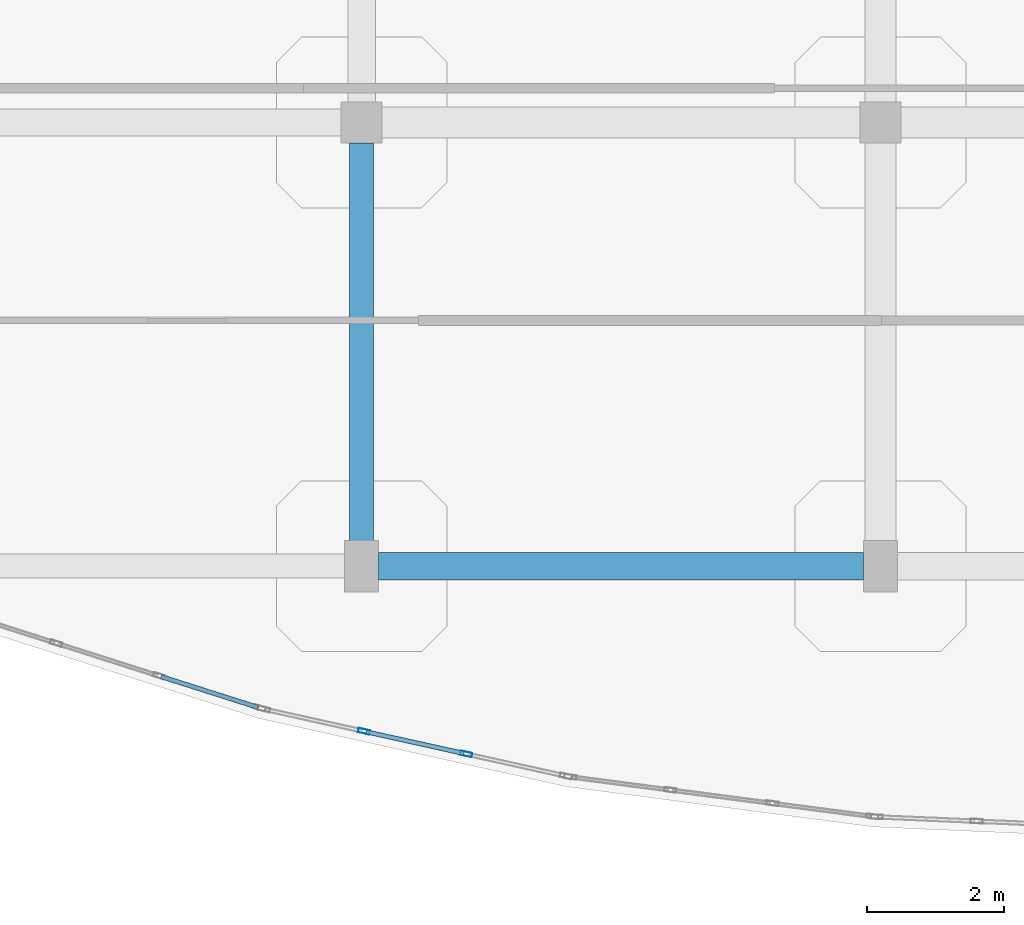
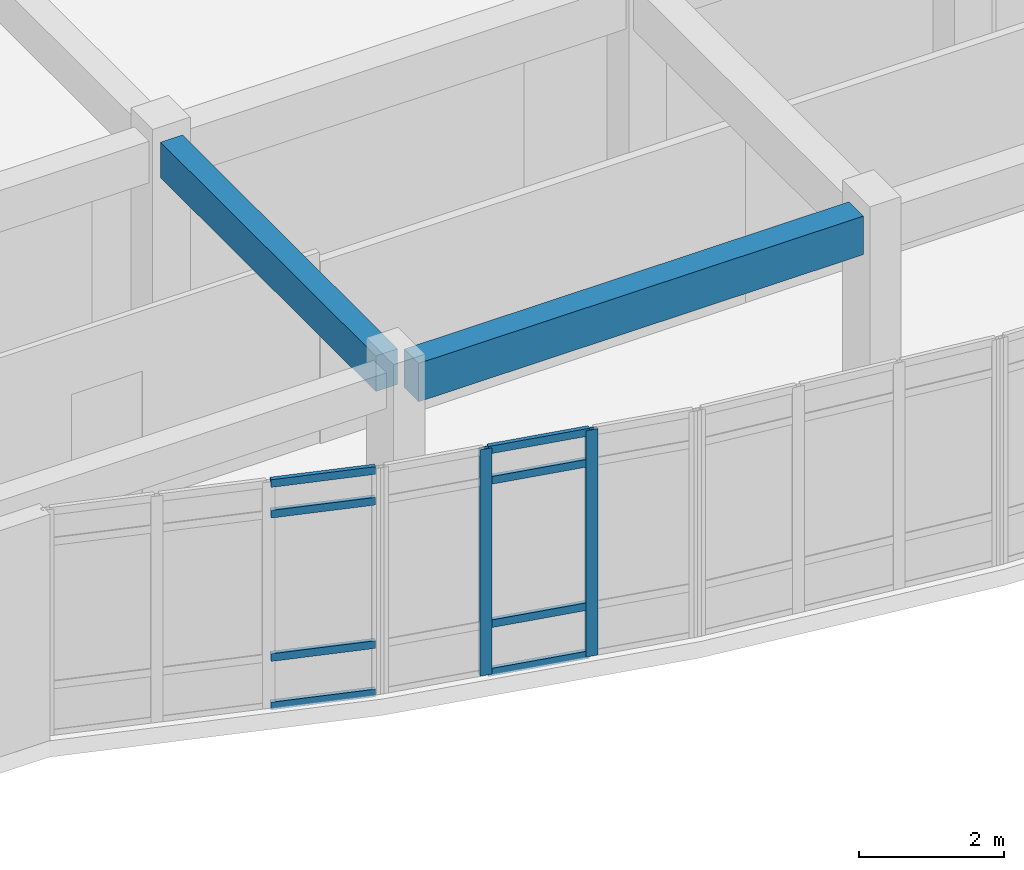
# One storey, part 89 of 146: 10 members, 2 beams, 2 elements without a shape of their own.
"""IFC4 building model written with IfcOpenShell, lengths in metres."""

from ifc_helpers import new_model, si_unit, direction, frame, origin, origin_2d, place, context, subcontext, project, spatial, rectangle, hollow_rectangle, extrude, material, layer, layer_set, material_profile, profile_set, type_object, element, aggregate, save


model = new_model("IFC4")

# Units and contexts
model_context = context("Model", 3, precision=1e-05, world=origin(), true_north=direction((0.0, 1.0)))
body_context = subcontext(model_context, "Body", "Model", "MODEL_VIEW")
ifc_project = project(units=[si_unit("LENGTHUNIT", "METRE"), si_unit("AREAUNIT", "SQUARE_METRE"), si_unit("VOLUMEUNIT", "CUBIC_METRE"), si_unit("PLANEANGLEUNIT", "RADIAN"), si_unit("MASSUNIT", "GRAM", prefix="KILO")], contexts=[model_context])

# Site, building, storey
site_placement = place(None, origin())
site = spatial("IfcSite", under=ifc_project, at=site_placement, CompositionType="ELEMENT")
building_placement = place(site_placement, origin())
building = spatial("IfcBuilding", under=site, at=building_placement, Name="Valcora Specialist Clinic", CompositionType="ELEMENT")
storey_placement = place(building_placement, frame((0.0, 0.0, 9.52001953125)))
storey = spatial("IfcBuildingStorey", under=building, at=storey_placement, Name="L02", CompositionType="ELEMENT", Elevation=9.52001953125)

# Beams
ifc_material_1 = material(Name="Concrete C40/50", Category="concrete")
ifc_material_profile_1 = material_profile(ifc_material_1, rectangle(XDim=0.35009765625, YDim=0.60009765625, at=origin_2d()), Name="RC-BM-350X600")
ifc_profile_set_1 = profile_set([ifc_material_profile_1], Name="Concrete C40/50")
beam_type_1 = type_object("IfcBeamType", Name="TY-BM-RC350X600", PredefinedType="BEAM", material=ifc_profile_set_1)
beam_1_placement = place(storey_placement, frame((98.39990234375, 75.050048828125, 3.52001953125), z_axis=(0.0, 1.0, 0.0), x_axis=(-1.0, 0.0, 0.0)))
element("IfcBeam", 1, at=beam_1_placement, inside=storey, type_object=beam_type_1, Name="Beam BM-L02-0750", PredefinedType="BEAM", context=body_context, shape_type="SweptSolid", body=[
    extrude(rectangle(XDim=0.35009765625, YDim=0.60009765625, at=origin_2d()), origin(), (0.0, 0.0, 1.0), 5.949951171875),
])
ifc_material_profile_2 = material_profile(ifc_material_1, rectangle(XDim=0.39990234375, YDim=0.64990234375, at=origin_2d()), Name="RC-BM-400X650")
ifc_profile_set_2 = profile_set([ifc_material_profile_2], Name="Concrete C40/50")
beam_type_2 = type_object("IfcBeamType", Name="TY-BM-RC400X650", PredefinedType="BEAM", material=ifc_profile_set_2)
beam_2_placement = place(storey_placement, frame((98.64990234375, 74.800048828125, 3.494873046875), z_axis=(1.0, 0.0, 0.0), x_axis=(0.0, 1.0, 0.0)))
element("IfcBeam", 2, at=beam_2_placement, inside=storey, type_object=beam_type_2, Name="Beam BM-L02-0699", PredefinedType="BEAM", context=body_context, shape_type="SweptSolid", body=[
    extrude(rectangle(XDim=0.39990234375, YDim=0.64990234375, at=origin_2d()), origin(), (0.0, 0.0, 1.0), 7.10009765625),
])

# Curtain wall, members
ifc_material_2 = material(Name="Anodized Bronze Aluminium 6063-T6", Category="aluminium")
ifc_layer = layer(ifc_material_2, 0.175048828125)
ifc_layer_set = layer_set([ifc_layer], Name="Anodized Bronze Aluminium 6063-T6")
curtain_wall_type = type_object("IfcCurtainWallType", Name="TY-CW-ARC40", PredefinedType="NOTDEFINED", material=ifc_layer_set)
curtain_wall_1_placement = place(storey_placement, origin())
curtain_wall_1 = element("IfcCurtainWall", 3, at=curtain_wall_1_placement, inside=storey, type_object=curtain_wall_type, Name="Curtain wall CW-L02-091", PredefinedType="NOTDEFINED")
ifc_material_profile_3 = material_profile(ifc_material_2, hollow_rectangle(XDim=0.06494140625, YDim=0.175048828125, WallThickness=0.00390625, at=origin_2d()), Name="AL-MUL-65X175")
ifc_profile_set_3 = profile_set([ifc_material_profile_3], Name="Anodized Bronze Aluminium 6063-T6")
member_type_1 = type_object("IfcMemberType", Name="TY-CWM-65X175", PredefinedType="MULLION", material=ifc_profile_set_3)
member_1_placement = place(storey_placement, frame((99.930419921875, 72.049560546875, 0.0), z_axis=(0.0, 0.0, 1.0), x_axis=(-0.216518052372, -0.976278614432, 0.0)))
member_1 = element("IfcMember", 4, at=member_1_placement, type_object=member_type_1, Name="CW-ARC-40 mullion 2", PredefinedType="MULLION", context=body_context, shape_type="SweptSolid", body=[
    extrude(hollow_rectangle(XDim=0.06494140625, YDim=0.175048828125, WallThickness=0.00390625, at=origin_2d()), origin(), (0.0, 0.0, 1.0), 3.820068359375),
])
member_2_placement = place(storey_placement, frame((98.434814453125, 72.38134765625, 0.0), z_axis=(0.0, 0.0, 1.0), x_axis=(-0.216518052372, -0.976278614432, 0.0)))
member_2 = element("IfcMember", 5, at=member_2_placement, type_object=member_type_1, Name="CW-ARC-40 mullion 3", PredefinedType="MULLION", context=body_context, shape_type="SweptSolid", body=[
    extrude(hollow_rectangle(XDim=0.06494140625, YDim=0.175048828125, WallThickness=0.00390625, at=origin_2d()), origin(), (0.0, 0.0, 1.0), 3.820068359375),
])
ifc_material_profile_4 = material_profile(ifc_material_2, hollow_rectangle(XDim=0.06494140625, YDim=0.1298828125, WallThickness=0.00390625, at=origin_2d()), Name="AL-TRN-65X130")
ifc_profile_set_4 = profile_set([ifc_material_profile_4], Name="Anodized Bronze Aluminium 6063-T6")
member_type_2 = type_object("IfcMemberType", Name="TY-CWT-65X130", PredefinedType="USERDEFINED", material=ifc_profile_set_4)
member_3_placement = place(storey_placement, frame((99.898681640625, 72.056640625, 0.032470703125), z_axis=(-0.976277043921, 0.216525133676, 0.0), x_axis=(-0.216525133676, -0.976277043921, 0.0)))
member_3 = element("IfcMember", 6, at=member_3_placement, type_object=member_type_2, Name="CW-ARC-40 transom 2.1", ObjectType="TRANSOM", PredefinedType="USERDEFINED", context=body_context, shape_type="SweptSolid", body=[
    extrude(hollow_rectangle(XDim=0.06494140625, YDim=0.1298828125, WallThickness=0.00390625, at=origin_2d()), origin(), (0.0, 0.0, 1.0), 1.467041015625),
])
member_4_placement = place(storey_placement, frame((99.898681640625, 72.056640625, 0.85009765625), z_axis=(-0.976277043921, 0.216525133676, 0.0), x_axis=(-0.216525133676, -0.976277043921, 0.0)))
member_4 = element("IfcMember", 7, at=member_4_placement, type_object=member_type_2, Name="CW-ARC-40 transom 2.2", ObjectType="TRANSOM", PredefinedType="USERDEFINED", context=body_context, shape_type="SweptSolid", body=[
    extrude(hollow_rectangle(XDim=0.06494140625, YDim=0.1298828125, WallThickness=0.00390625, at=origin_2d()), origin(), (0.0, 0.0, 1.0), 1.467041015625),
])
member_5_placement = place(storey_placement, frame((99.898681640625, 72.056640625, 3.27001953125), z_axis=(-0.976277043921, 0.216525133676, 0.0), x_axis=(-0.216525133676, -0.976277043921, 0.0)))
member_5 = element("IfcMember", 8, at=member_5_placement, type_object=member_type_2, Name="CW-ARC-40 transom 2.3", ObjectType="TRANSOM", PredefinedType="USERDEFINED", context=body_context, shape_type="SweptSolid", body=[
    extrude(hollow_rectangle(XDim=0.06494140625, YDim=0.1298828125, WallThickness=0.00390625, at=origin_2d()), origin(), (0.0, 0.0, 1.0), 1.467041015625),
])
member_6_placement = place(storey_placement, frame((99.898681640625, 72.056640625, 3.78759765625), z_axis=(-0.976277043921, 0.216525133676, 0.0), x_axis=(-0.216525133676, -0.976277043921, 0.0)))
member_6 = element("IfcMember", 9, at=member_6_placement, type_object=member_type_2, Name="CW-ARC-40 transom 2.4", ObjectType="TRANSOM", PredefinedType="USERDEFINED", context=body_context, shape_type="SweptSolid", body=[
    extrude(hollow_rectangle(XDim=0.06494140625, YDim=0.1298828125, WallThickness=0.00390625, at=origin_2d()), origin(), (0.0, 0.0, 1.0), 1.467041015625),
])
aggregate(curtain_wall_1, [member_1, member_2, member_3, member_4, member_5, member_6])

curtain_wall_2_placement = place(storey_placement, origin())
curtain_wall_2 = element("IfcCurtainWall", 10, at=curtain_wall_2_placement, inside=storey, type_object=curtain_wall_type, Name="Curtain wall CW-L02-092", PredefinedType="NOTDEFINED")
member_7_placement = place(storey_placement, frame((96.877197265625, 72.732666015625, 0.032470703125), z_axis=(-0.952910635624, 0.303251249816, 0.0), x_axis=(-0.303251249816, -0.952910635624, 0.0)))
member_7 = element("IfcMember", 11, at=member_7_placement, type_object=member_type_2, Name="CW-ARC-40 transom 1.1", ObjectType="TRANSOM", PredefinedType="USERDEFINED", context=body_context, shape_type="SweptSolid", body=[
    extrude(hollow_rectangle(XDim=0.06494140625, YDim=0.1298828125, WallThickness=0.00390625, at=origin_2d()), origin(), (0.0, 0.0, 1.0), 1.482177734375),
])
member_8_placement = place(storey_placement, frame((96.877197265625, 72.732666015625, 0.85009765625), z_axis=(-0.952910635624, 0.303251249816, 0.0), x_axis=(-0.303251249816, -0.952910635624, 0.0)))
member_8 = element("IfcMember", 12, at=member_8_placement, type_object=member_type_2, Name="CW-ARC-40 transom 1.2", ObjectType="TRANSOM", PredefinedType="USERDEFINED", context=body_context, shape_type="SweptSolid", body=[
    extrude(hollow_rectangle(XDim=0.06494140625, YDim=0.1298828125, WallThickness=0.00390625, at=origin_2d()), origin(), (0.0, 0.0, 1.0), 1.482177734375),
])
member_9_placement = place(storey_placement, frame((96.877197265625, 72.732666015625, 3.27001953125), z_axis=(-0.952910635624, 0.303251249816, 0.0), x_axis=(-0.303251249816, -0.952910635624, 0.0)))
member_9 = element("IfcMember", 13, at=member_9_placement, type_object=member_type_2, Name="CW-ARC-40 transom 1.3", ObjectType="TRANSOM", PredefinedType="USERDEFINED", context=body_context, shape_type="SweptSolid", body=[
    extrude(hollow_rectangle(XDim=0.06494140625, YDim=0.1298828125, WallThickness=0.00390625, at=origin_2d()), origin(), (0.0, 0.0, 1.0), 1.482177734375),
])
member_10_placement = place(storey_placement, frame((96.877197265625, 72.732666015625, 3.78759765625), z_axis=(-0.952910635624, 0.303251249816, 0.0), x_axis=(-0.303251249816, -0.952910635624, 0.0)))
member_10 = element("IfcMember", 14, at=member_10_placement, type_object=member_type_2, Name="CW-ARC-40 transom 1.4", ObjectType="TRANSOM", PredefinedType="USERDEFINED", context=body_context, shape_type="SweptSolid", body=[
    extrude(hollow_rectangle(XDim=0.06494140625, YDim=0.1298828125, WallThickness=0.00390625, at=origin_2d()), origin(), (0.0, 0.0, 1.0), 1.482177734375),
])
aggregate(curtain_wall_2, [member_7, member_8, member_9, member_10])

save(model, "model.ifc")
